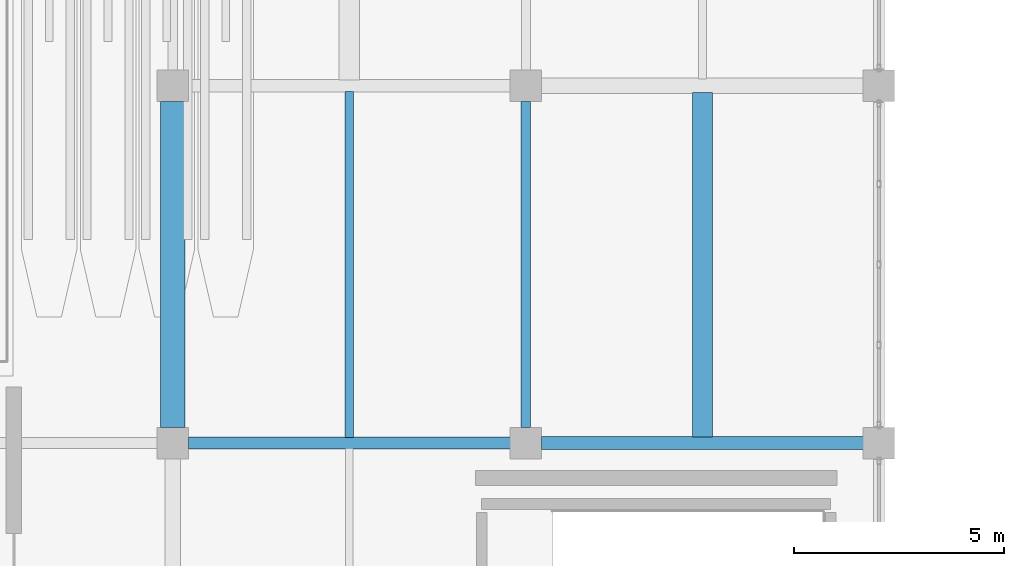
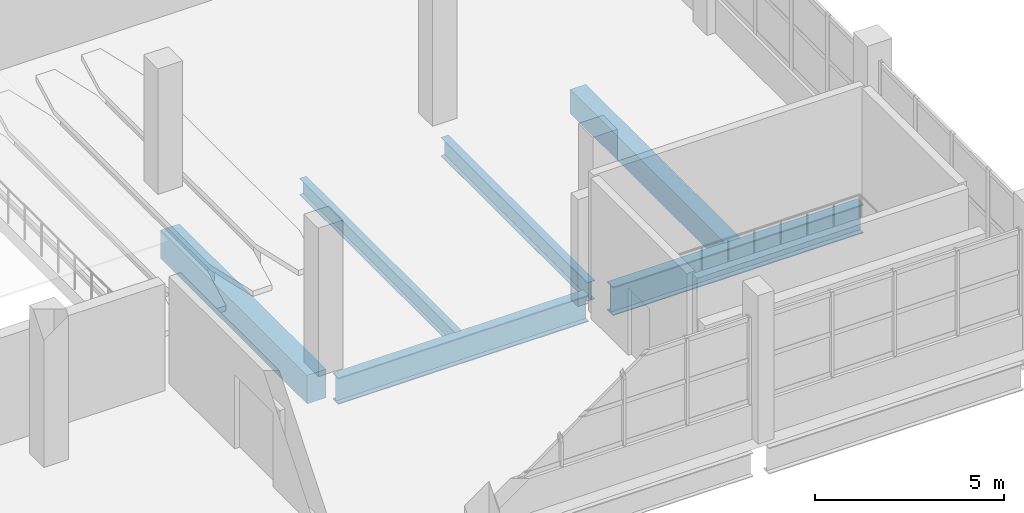
# One storey, part 42 of 77: 6 beams.
"""IFC4 building model written with IfcOpenShell, lengths in metres."""

from ifc_helpers import new_model, si_unit, direction, frame, origin, origin_2d, place, context, subcontext, project, spatial, rectangle, i_section, extrude, material, material_profile, profile_set, type_object, element, save


model = new_model("IFC4")

# Units and contexts
model_context = context("Model", 3, precision=1e-05, world=origin(), true_north=direction((0.0, 1.0)))
body_context = subcontext(model_context, "Body", "Model", "MODEL_VIEW")
ifc_project = project(units=[si_unit("LENGTHUNIT", "METRE"), si_unit("AREAUNIT", "SQUARE_METRE"), si_unit("VOLUMEUNIT", "CUBIC_METRE"), si_unit("PLANEANGLEUNIT", "RADIAN"), si_unit("MASSUNIT", "GRAM", prefix="KILO")], contexts=[model_context])

# Site, building, storey
site_placement = place(None, origin())
site = spatial("IfcSite", under=ifc_project, at=site_placement, CompositionType="ELEMENT")
building_placement = place(site_placement, origin())
building = spatial("IfcBuilding", under=site, at=building_placement, Name="Solvento Point Concert Hall", CompositionType="ELEMENT")
storey_placement = place(building_placement, frame((0.0, 0.0, 10.199951171875)))
storey = spatial("IfcBuildingStorey", under=building, at=storey_placement, Name="L02", CompositionType="ELEMENT", Elevation=10.199951171875)

# Beams
ifc_material_1 = material(Name="Concrete C35/45", Category="concrete")
ifc_material_profile_1 = material_profile(ifc_material_1, rectangle(XDim=0.47998046875, YDim=0.780029296875, at=origin_2d()), Name="RC-BM-480X780")
ifc_profile_set_1 = profile_set([ifc_material_profile_1], Name="Concrete C35/45")
beam_type_1 = type_object("IfcBeamType", Name="Beam_RC_480x780", PredefinedType="BEAM", material=ifc_profile_set_1)
beam_1_placement = place(storey_placement, frame((204.60009765625, 8.638671875, -0.833984375), z_axis=(0.0, 1.0, 0.0), x_axis=(-1.0, 0.0, 0.0)))
element("IfcBeam", 1, at=beam_1_placement, inside=storey, type_object=beam_type_1, Name="Secondary floor joist B-74 L02", PredefinedType="BEAM", context=body_context, shape_type="SweptSolid", body=[
    extrude(rectangle(XDim=0.47998046875, YDim=0.780029296875, at=origin_2d()), origin(), (0.0, 0.0, 1.0), 8.19580078125),
])
ifc_material_2 = material(Name="Structural Steel ASTM A992 Grade 50", Category="steel")
ifc_material_profile_2 = material_profile(ifc_material_2, i_section(OverallWidth=0.20947265625, OverallDepth=0.532958984375, WebThickness=0.01025390625, FlangeThickness=0.015625, at=origin_2d()), Name="W21X62")
ifc_profile_set_2 = profile_set([ifc_material_profile_2], Name="Structural Steel ASTM A992 Grade 50")
beam_type_2 = type_object("IfcBeamType", Name="Beam_W21X62", PredefinedType="BEAM", material=ifc_profile_set_2)
beam_2_placement = place(storey_placement, frame((196.199951171875, 8.631103515625, -0.71044921875), z_axis=(0.0, 1.0, 0.0), x_axis=(-1.0, 0.0, 0.0)))
element("IfcBeam", 2, at=beam_2_placement, inside=storey, type_object=beam_type_2, Name="Secondary floor joist B-25 L02", PredefinedType="BEAM", context=body_context, shape_type="SweptSolid", body=[
    extrude(i_section(OverallWidth=0.20947265625, OverallDepth=0.532958984375, WebThickness=0.01025390625, FlangeThickness=0.015625, at=origin_2d()), origin(), (0.0, 0.0, 1.0), 8.230224609375),
])
ifc_material_3 = material(Name="Structural Steel ASTM A992 Grade 50", Category="steel")
ifc_material_profile_3 = material_profile(ifc_material_3, i_section(OverallWidth=0.228515625, OverallDepth=0.60791015625, WebThickness=0.01123046875, FlangeThickness=0.017333984375, at=origin_2d()), Name="W24X76")
ifc_profile_set_3 = profile_set([ifc_material_profile_3], Name="Structural Steel ASTM A992 Grade 50")
beam_type_3 = type_object("IfcBeamType", Name="Beam_W24X76", PredefinedType="BEAM", material=ifc_profile_set_3)
beam_3_placement = place(storey_placement, frame((200.39990234375, 8.868896484375, -0.748046875), z_axis=(0.0, 1.0, 0.0), x_axis=(-1.0, 0.0, 0.0)))
element("IfcBeam", 3, at=beam_3_placement, inside=storey, type_object=beam_type_3, Name="Primary girder B-42 L02", PredefinedType="BEAM", context=body_context, shape_type="SweptSolid", body=[
    extrude(i_section(OverallWidth=0.228515625, OverallDepth=0.60791015625, WebThickness=0.01123046875, FlangeThickness=0.017333984375, at=origin_2d()), origin(), (0.0, 0.0, 1.0), 7.76220703125),
])
ifc_material_4 = material(Name="Concrete C35/45", Category="concrete")
ifc_material_profile_4 = material_profile(ifc_material_4, rectangle(XDim=0.580078125, YDim=0.919921875, at=origin_2d()), Name="RC-BM-580X920")
ifc_profile_set_4 = profile_set([ifc_material_profile_4], Name="Concrete C35/45")
beam_type_4 = type_object("IfcBeamType", Name="Girder_RC_580x920", PredefinedType="USERDEFINED", material=ifc_profile_set_4)
beam_4_placement = place(storey_placement, frame((192.0, 8.868896484375, -0.904052734375), z_axis=(0.0, 1.0, 0.0), x_axis=(-1.0, 0.0, 0.0)))
element("IfcBeam", 4, at=beam_4_placement, inside=storey, type_object=beam_type_4, Name="Primary girder B-95 L02", ObjectType="GIRDER", PredefinedType="USERDEFINED", context=body_context, shape_type="SweptSolid", body=[
    extrude(rectangle(XDim=0.580078125, YDim=0.919921875, at=origin_2d()), origin(), (0.0, 0.0, 1.0), 7.76220703125),
])
ifc_material_5 = material(Name="Structural Steel ASTM A992 Grade 50", Category="steel")
ifc_material_profile_5 = material_profile(ifc_material_5, i_section(OverallWidth=0.2919921875, OverallDepth=0.85888671875, WebThickness=0.01708984375, FlangeThickness=0.031005859375, at=origin_2d()), Name="W33X169")
ifc_profile_set_5 = profile_set([ifc_material_profile_5], Name="Structural Steel ASTM A992 Grade 50")
beam_type_5 = type_object("IfcBeamType", Name="Girder_W33X169", PredefinedType="USERDEFINED", material=ifc_profile_set_5)
beam_5_placement = place(storey_placement, frame((192.368896484375, 8.5, -0.87353515625), z_axis=(1.0, 0.0, 0.0), x_axis=(0.0, 1.0, 0.0)))
element("IfcBeam", 5, at=beam_5_placement, inside=storey, type_object=beam_type_5, Name="Primary girder B-33 L02", ObjectType="GIRDER", PredefinedType="USERDEFINED", context=body_context, shape_type="SweptSolid", body=[
    extrude(i_section(OverallWidth=0.2919921875, OverallDepth=0.85888671875, WebThickness=0.01708984375, FlangeThickness=0.031005859375, at=origin_2d()), origin(), (0.0, 0.0, 1.0), 7.662109375),
])
ifc_material_6 = material(Name="Structural Steel ASTM A992 Grade 50", Category="steel")
ifc_material_profile_6 = material_profile(ifc_material_6, i_section(OverallWidth=0.3076171875, OverallDepth=0.927001953125, WebThickness=0.019287109375, FlangeThickness=0.031982421875, at=origin_2d()), Name="W36X194")
ifc_profile_set_6 = profile_set([ifc_material_profile_6], Name="Structural Steel ASTM A992 Grade 50")
beam_type_6 = type_object("IfcBeamType", Name="Girder_W36X194", PredefinedType="USERDEFINED", material=ifc_profile_set_6)
beam_6_placement = place(storey_placement, frame((200.76904296875, 8.5, -0.907470703125), z_axis=(1.0, 0.0, 0.0), x_axis=(0.0, 1.0, 0.0)))
element("IfcBeam", 6, at=beam_6_placement, inside=storey, type_object=beam_type_6, Name="Primary girder B-61 L02", ObjectType="GIRDER", PredefinedType="USERDEFINED", context=body_context, shape_type="SweptSolid", body=[
    extrude(i_section(OverallWidth=0.3076171875, OverallDepth=0.927001953125, WebThickness=0.019287109375, FlangeThickness=0.031982421875, at=origin_2d()), origin(), (0.0, 0.0, 1.0), 7.661865234375),
])

save(model, "model.ifc")
